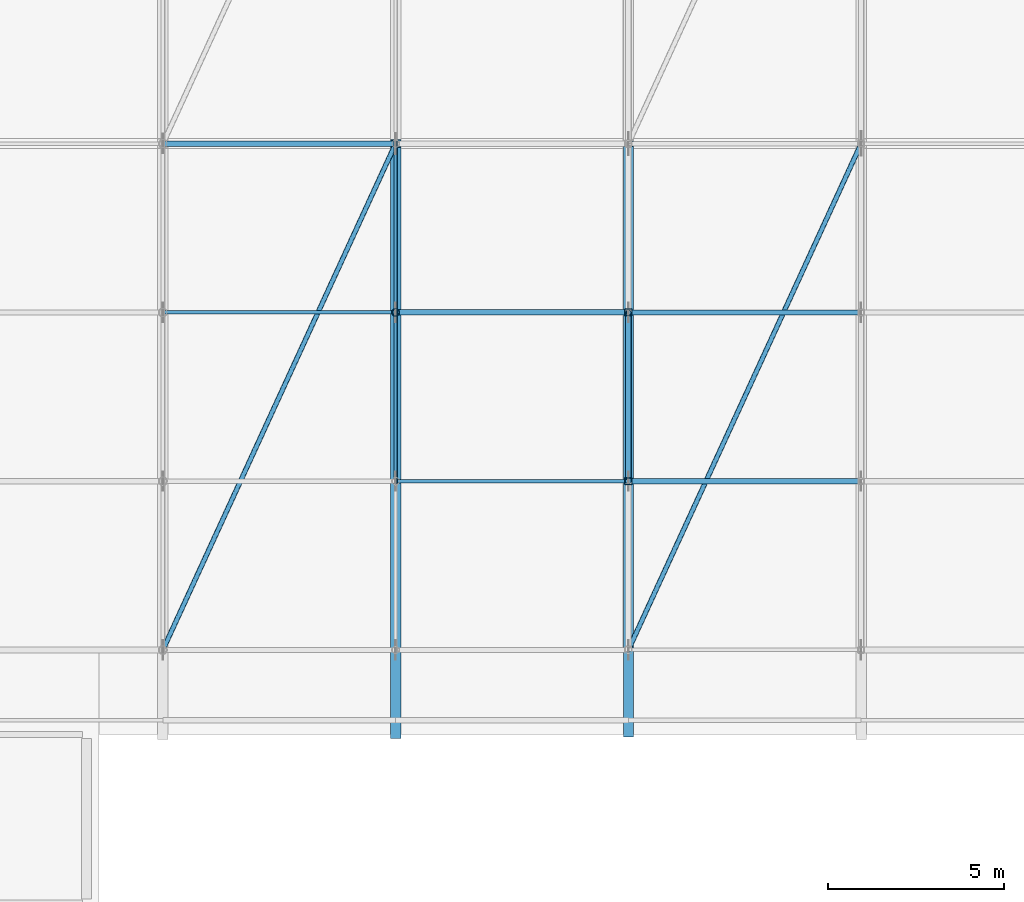
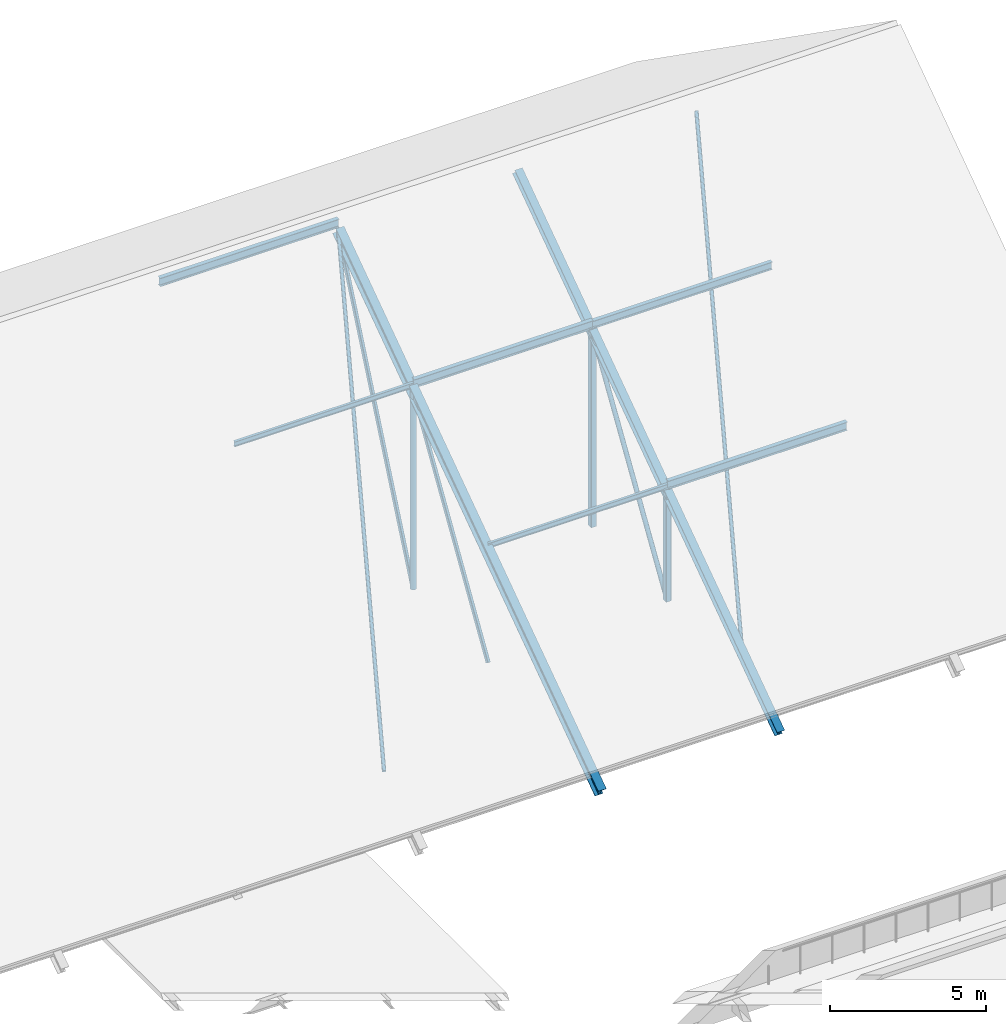
# One storey, part 73 of 134: 16 members.
"""IFC4 building model written with IfcOpenShell, lengths in metres."""

from ifc_helpers import new_model, si_unit, direction, frame, origin, origin_2d, place, context, subcontext, project, spatial, hollow_rectangle, hollow_circle, i_section, extrude, material, material_profile, profile_set, type_object, element, save


model = new_model("IFC4")

# Units and contexts
model_context = context("Model", 3, precision=1e-05, world=origin(), true_north=direction((0.0, 1.0)))
body_context = subcontext(model_context, "Body", "Model", "MODEL_VIEW")
ifc_project = project(units=[si_unit("LENGTHUNIT", "METRE"), si_unit("AREAUNIT", "SQUARE_METRE"), si_unit("VOLUMEUNIT", "CUBIC_METRE"), si_unit("PLANEANGLEUNIT", "RADIAN"), si_unit("MASSUNIT", "GRAM", prefix="KILO")], contexts=[model_context])

# Site, building, storey
site_placement = place(None, origin())
site = spatial("IfcSite", under=ifc_project, at=site_placement, CompositionType="ELEMENT")
building_placement = place(site_placement, origin())
building = spatial("IfcBuilding", under=site, at=building_placement, Name="Asteropetra Specialist Clinic", CompositionType="ELEMENT")
storey_placement = place(building_placement, frame((0.0, 0.0, 8.5)))
storey = spatial("IfcBuildingStorey", under=building, at=storey_placement, Name="L02", CompositionType="ELEMENT", Elevation=8.5)

# Members
ifc_material_1 = material(Name="Steel S355", Category="steel")
ifc_material_profile_1 = material_profile(ifc_material_1, hollow_circle(Radius=0.06982421875, WallThickness=0.008056640625, at=origin_2d()), Name="CHS 139.7x8.0")
ifc_profile_set_1 = profile_set([ifc_material_profile_1], Name="Steel S355")
member_type_1 = type_object("IfcMemberType", Name="TR-BRC-CHS139", PredefinedType="BRACE", material=ifc_profile_set_1)
for number, where, z_axis, x_axis, name in (
    (1, (126.6201171875, 76.800048828125, 1.3466796875), (0.352101920533, 0.765910952494, 0.537963428502), (-0.908588215105, 0.417693015709, 0.0), "Roof Wind Brace TRV1-RB1-07"),
    (2, (139.860107421875, 76.800048828125, 1.3466796875), (0.352101920533, 0.765910952494, 0.537963428502), (-0.908588215105, 0.417693015709, 0.0), "Roof Wind Brace TRV1-RB1-09"),
):
    element("IfcMember", number, at=place(storey_placement, frame(where, z_axis=z_axis, x_axis=x_axis)), inside=storey, type_object=member_type_1, Name=name, PredefinedType="BRACE", context=body_context, shape_type="SweptSolid", body=[
        extrude(hollow_circle(Radius=0.06982421875, WallThickness=0.008056640625, at=origin_2d()), origin(), (0.0, 0.0, 1.0), 18.801025390625),
    ])
ifc_material_2 = material(Name="Steel S355", Category="steel")
ifc_material_profile_2 = material_profile(ifc_material_2, hollow_circle(Radius=0.084228515625, WallThickness=0.008056640625, at=origin_2d()), Name="CHS 168.3x8.0")
ifc_profile_set_2 = profile_set([ifc_material_profile_2], Name="Steel S355")
member_type_2 = type_object("IfcMemberType", Name="TR-BRC-CHS168", PredefinedType="BRACE", material=ifc_profile_set_2)
member_1_placement = place(storey_placement, frame((139.860107421875, 81.60009765625, 0.4951171875), z_axis=(0.0, 0.534254703951, 0.845323554212), x_axis=(-1.0, 0.0, 0.0)))
element("IfcMember", 3, at=member_1_placement, inside=storey, type_object=member_type_2, Name="Truss Web Diagonal TRV1-D09-1", PredefinedType="BRACE", context=body_context, shape_type="SweptSolid", body=[
    extrude(hollow_circle(Radius=0.084228515625, WallThickness=0.008056640625, at=origin_2d()), origin(), (0.0, 0.0, 1.0), 8.984130859375),
])
ifc_material_3 = material(Name="Steel S355", Category="steel")
ifc_material_profile_3 = material_profile(ifc_material_3, hollow_rectangle(XDim=0.10009765625, YDim=0.179931640625, WallThickness=0.008056640625, InnerFilletRadius=0.008056640625, OuterFilletRadius=0.01611328125, at=origin_2d()), Name="RHS 180x100x8.0")
ifc_profile_set_3 = profile_set([ifc_material_profile_3], Name="Steel S355")
member_type_3 = type_object("IfcMemberType", Name="TR-BRC-RHS180", PredefinedType="BRACE", material=ifc_profile_set_3)
member_2_placement = place(storey_placement, frame((133.239990234375, 81.60009765625, 0.3701171875), z_axis=(0.0, 0.528029932353, 0.849225759465), x_axis=(-1.0, 0.0, 0.0)))
element("IfcMember", 4, at=member_2_placement, inside=storey, type_object=member_type_3, Name="Truss Web Diagonal TRV1-D08-1", PredefinedType="BRACE", context=body_context, shape_type="SweptSolid", body=[
    extrude(hollow_rectangle(XDim=0.10009765625, YDim=0.179931640625, WallThickness=0.008056640625, InnerFilletRadius=0.008056640625, OuterFilletRadius=0.01611328125, at=origin_2d()), origin(), (0.0, 0.0, 1.0), 9.090087890625),
])
member_3_placement = place(storey_placement, frame((133.239990234375, 86.39990234375, 0.3701171875), z_axis=(0.0, 0.397191262273, 0.917735855883), x_axis=(-1.0, 0.0, 0.0)))
element("IfcMember", 5, at=member_3_placement, inside=storey, type_object=member_type_3, Name="Truss Web Diagonal TRV1-D08-2", PredefinedType="BRACE", context=body_context, shape_type="SweptSolid", body=[
    extrude(hollow_rectangle(XDim=0.10009765625, YDim=0.179931640625, WallThickness=0.008056640625, InnerFilletRadius=0.008056640625, OuterFilletRadius=0.01611328125, at=origin_2d()), origin(), (0.0, 0.0, 1.0), 12.0849609375),
])
ifc_material_4 = material(Name="Steel S355", Category="steel")
ifc_material_profile_4 = material_profile(ifc_material_4, i_section(OverallWidth=0.300048828125, OverallDepth=0.389892578125, WebThickness=0.010986328125, FlangeThickness=0.01904296875, FilletRadius=0.027099609375, at=origin_2d()), Name="HEA 400")
ifc_profile_set_4 = profile_set([ifc_material_profile_4], Name="Steel S355")
member_type_4 = type_object("IfcMemberType", Name="TR-CHD-HEA400", PredefinedType="CHORD", material=ifc_profile_set_4)
member_4_placement = place(storey_placement, frame((133.239990234375, 74.39990234375, -0.339111328125), z_axis=(0.0, 0.818315202226, 0.574769718936), x_axis=(-1.0, 0.0, 0.0)))
element("IfcMember", 6, at=member_4_placement, inside=storey, type_object=member_type_4, Name="Truss South Top Chord TRV1-TCS08", PredefinedType="CHORD", context=body_context, shape_type="SweptSolid", body=[
    extrude(i_section(OverallWidth=0.300048828125, OverallDepth=0.389892578125, WebThickness=0.010986328125, FlangeThickness=0.01904296875, FilletRadius=0.027099609375, at=origin_2d()), origin(), (0.0, 0.0, 1.0), 20.530029296875),
])
ifc_material_5 = material(Name="Steel S355", Category="steel")
ifc_material_profile_5 = material_profile(ifc_material_5, i_section(OverallWidth=0.280029296875, OverallDepth=0.280029296875, WebThickness=0.010498046875, FlangeThickness=0.01806640625, FilletRadius=0.02392578125, at=origin_2d()), Name="HEB 280")
ifc_profile_set_5 = profile_set([ifc_material_profile_5], Name="Steel S355")
member_type_5 = type_object("IfcMemberType", Name="TR-CHD-HEB280", PredefinedType="CHORD", material=ifc_profile_set_5)
member_5_placement = place(storey_placement, frame((139.860107421875, 74.39990234375, -0.339111328125), z_axis=(0.0, 0.818315202226, 0.574769718936), x_axis=(-1.0, 0.0, 0.0)))
element("IfcMember", 7, at=member_5_placement, inside=storey, type_object=member_type_5, Name="Truss South Top Chord TRV1-TCS09", PredefinedType="CHORD", context=body_context, shape_type="SweptSolid", body=[
    extrude(i_section(OverallWidth=0.280029296875, OverallDepth=0.280029296875, WebThickness=0.010498046875, FlangeThickness=0.01806640625, FilletRadius=0.02392578125, at=origin_2d()), origin(), (0.0, 0.0, 1.0), 20.530029296875),
])
ifc_material_6 = material(Name="Steel S355", Category="steel")
ifc_material_profile_6 = material_profile(ifc_material_6, i_section(OverallWidth=0.10009765625, OverallDepth=0.199951171875, WebThickness=0.005615234375, FlangeThickness=0.008544921875, FilletRadius=0.011962890625, at=origin_2d()), Name="IPE 200")
ifc_profile_set_6 = profile_set([ifc_material_profile_6], Name="Steel S355")
member_type_6 = type_object("IfcMemberType", Name="TR-PUR-IPE200", PredefinedType="PURLIN", material=ifc_profile_set_6)
member_6_placement = place(storey_placement, frame((126.6201171875, 86.39990234375, 8.324462890625), z_axis=(1.0, 0.0, 0.0), x_axis=(0.0, 1.0, 0.0)))
element("IfcMember", 8, at=member_6_placement, inside=storey, type_object=member_type_6, Name="Roof Purlin TRV1-P07-04", PredefinedType="PURLIN", context=body_context, shape_type="SweptSolid", body=[
    extrude(i_section(OverallWidth=0.10009765625, OverallDepth=0.199951171875, WebThickness=0.005615234375, FlangeThickness=0.008544921875, FilletRadius=0.011962890625, at=origin_2d()), origin(), (0.0, 0.0, 1.0), 6.619873046875),
])
member_7_placement = place(storey_placement, frame((133.239990234375, 81.60009765625, 4.953125), z_axis=(1.0, 0.0, 0.0), x_axis=(0.0, 1.0, 0.0)))
element("IfcMember", 9, at=member_7_placement, inside=storey, type_object=member_type_6, Name="Roof Purlin TRV1-P08-03", PredefinedType="PURLIN", context=body_context, shape_type="SweptSolid", body=[
    extrude(i_section(OverallWidth=0.10009765625, OverallDepth=0.199951171875, WebThickness=0.005615234375, FlangeThickness=0.008544921875, FilletRadius=0.011962890625, at=origin_2d()), origin(), (0.0, 0.0, 1.0), 6.6201171875),
])
ifc_material_7 = material(Name="Steel S355", Category="steel")
ifc_material_profile_7 = material_profile(ifc_material_7, i_section(OverallWidth=0.14990234375, OverallDepth=0.300048828125, WebThickness=0.007080078125, FlangeThickness=0.0107421875, FilletRadius=0.014892578125, at=origin_2d()), Name="IPE 300")
ifc_profile_set_7 = profile_set([ifc_material_profile_7], Name="Steel S355")
member_type_7 = type_object("IfcMemberType", Name="TR-PUR-IPE300", PredefinedType="PURLIN", material=ifc_profile_set_7)
member_8_placement = place(storey_placement, frame((139.860107421875, 86.39990234375, 8.37451171875), z_axis=(1.0, 0.0, 0.0), x_axis=(0.0, 1.0, 0.0)))
element("IfcMember", 10, at=member_8_placement, inside=storey, type_object=member_type_7, Name="Roof Purlin TRV1-P09-04", PredefinedType="PURLIN", context=body_context, shape_type="SweptSolid", body=[
    extrude(i_section(OverallWidth=0.14990234375, OverallDepth=0.300048828125, WebThickness=0.007080078125, FlangeThickness=0.0107421875, FilletRadius=0.014892578125, at=origin_2d()), origin(), (0.0, 0.0, 1.0), 6.619873046875),
])
ifc_material_8 = material(Name="Steel S355", Category="steel")
ifc_material_profile_8 = material_profile(ifc_material_8, i_section(OverallWidth=0.159912109375, OverallDepth=0.330078125, WebThickness=0.007568359375, FlangeThickness=0.011474609375, FilletRadius=0.01806640625, at=origin_2d()), Name="IPE 330")
ifc_profile_set_8 = profile_set([ifc_material_profile_8], Name="Steel S355")
member_type_8 = type_object("IfcMemberType", Name="TR-PUR-IPE330", PredefinedType="PURLIN", material=ifc_profile_set_8)
member_9_placement = place(storey_placement, frame((126.6201171875, 91.199951171875, 11.760986328125), z_axis=(1.0, 0.0, 0.0), x_axis=(0.0, 1.0, 0.0)))
element("IfcMember", 11, at=member_9_placement, inside=storey, type_object=member_type_8, Name="Roof Purlin TRV1-P07-05", PredefinedType="PURLIN", context=body_context, shape_type="SweptSolid", body=[
    extrude(i_section(OverallWidth=0.159912109375, OverallDepth=0.330078125, WebThickness=0.007568359375, FlangeThickness=0.011474609375, FilletRadius=0.01806640625, at=origin_2d()), origin(), (0.0, 0.0, 1.0), 6.619873046875),
])
member_10_placement = place(storey_placement, frame((133.239990234375, 86.39990234375, 8.389404296875), z_axis=(1.0, 0.0, 0.0), x_axis=(0.0, 1.0, 0.0)))
element("IfcMember", 12, at=member_10_placement, inside=storey, type_object=member_type_8, Name="Roof Purlin TRV1-P08-04", PredefinedType="PURLIN", context=body_context, shape_type="SweptSolid", body=[
    extrude(i_section(OverallWidth=0.159912109375, OverallDepth=0.330078125, WebThickness=0.007568359375, FlangeThickness=0.011474609375, FilletRadius=0.01806640625, at=origin_2d()), origin(), (0.0, 0.0, 1.0), 6.6201171875),
])
member_11_placement = place(storey_placement, frame((139.860107421875, 81.60009765625, 5.01806640625), z_axis=(1.0, 0.0, 0.0), x_axis=(0.0, 1.0, 0.0)))
element("IfcMember", 13, at=member_11_placement, inside=storey, type_object=member_type_8, Name="Roof Purlin TRV1-P09-03", PredefinedType="PURLIN", context=body_context, shape_type="SweptSolid", body=[
    extrude(i_section(OverallWidth=0.159912109375, OverallDepth=0.330078125, WebThickness=0.007568359375, FlangeThickness=0.011474609375, FilletRadius=0.01806640625, at=origin_2d()), origin(), (0.0, 0.0, 1.0), 6.619873046875),
])
ifc_material_9 = material(Name="Steel S355", Category="steel")
ifc_material_profile_9 = material_profile(ifc_material_9, hollow_circle(Radius=0.109619140625, WallThickness=0.010009765625, at=origin_2d()), Name="CHS 219.1x10.0")
ifc_profile_set_9 = profile_set([ifc_material_profile_9], Name="Steel S355")
member_type_9 = type_object("IfcMemberType", Name="TR-STR-CHS219", PredefinedType="STRUT", material=ifc_profile_set_9)
member_12_placement = place(storey_placement, frame((133.239990234375, 86.39990234375, 0.3701171875), z_axis=(0.0, 0.0, 1.0), x_axis=(1.0, 0.0, 0.0)))
element("IfcMember", 14, at=member_12_placement, inside=storey, type_object=member_type_9, Name="Truss Web Strut TRV1-V08-2", PredefinedType="STRUT", context=body_context, shape_type="SweptSolid", body=[
    extrude(hollow_circle(Radius=0.109619140625, WallThickness=0.010009765625, at=origin_2d()), origin(), (0.0, 0.0, 1.0), 7.719482421875),
])
ifc_material_10 = material(Name="Steel S355", Category="steel")
ifc_material_profile_10 = material_profile(ifc_material_10, hollow_rectangle(XDim=0.199951171875, YDim=0.199951171875, WallThickness=0.010009765625, InnerFilletRadius=0.008056640625, OuterFilletRadius=0.01611328125, at=origin_2d()), Name="SHS 200x200x10.0")
ifc_profile_set_10 = profile_set([ifc_material_profile_10], Name="Steel S355")
member_type_10 = type_object("IfcMemberType", Name="TR-STR-SHS200", PredefinedType="STRUT", material=ifc_profile_set_10)
member_13_placement = place(storey_placement, frame((139.860107421875, 81.60009765625, 0.4951171875), z_axis=(0.0, 0.0, 1.0), x_axis=(1.0, 0.0, 0.0)))
element("IfcMember", 15, at=member_13_placement, inside=storey, type_object=member_type_10, Name="Truss Web Strut TRV1-V09-1", PredefinedType="STRUT", context=body_context, shape_type="SweptSolid", body=[
    extrude(hollow_rectangle(XDim=0.199951171875, YDim=0.199951171875, WallThickness=0.010009765625, InnerFilletRadius=0.008056640625, OuterFilletRadius=0.01611328125, at=origin_2d()), origin(), (0.0, 0.0, 1.0), 4.222900390625),
])
member_14_placement = place(storey_placement, frame((139.860107421875, 86.39990234375, 0.4951171875), z_axis=(0.0, 0.0, 1.0), x_axis=(1.0, 0.0, 0.0)))
element("IfcMember", 16, at=member_14_placement, inside=storey, type_object=member_type_10, Name="Truss Web Strut TRV1-V09-2", PredefinedType="STRUT", context=body_context, shape_type="SweptSolid", body=[
    extrude(hollow_rectangle(XDim=0.199951171875, YDim=0.199951171875, WallThickness=0.010009765625, InnerFilletRadius=0.008056640625, OuterFilletRadius=0.01611328125, at=origin_2d()), origin(), (0.0, 0.0, 1.0), 7.594482421875),
])

save(model, "model.ifc")
